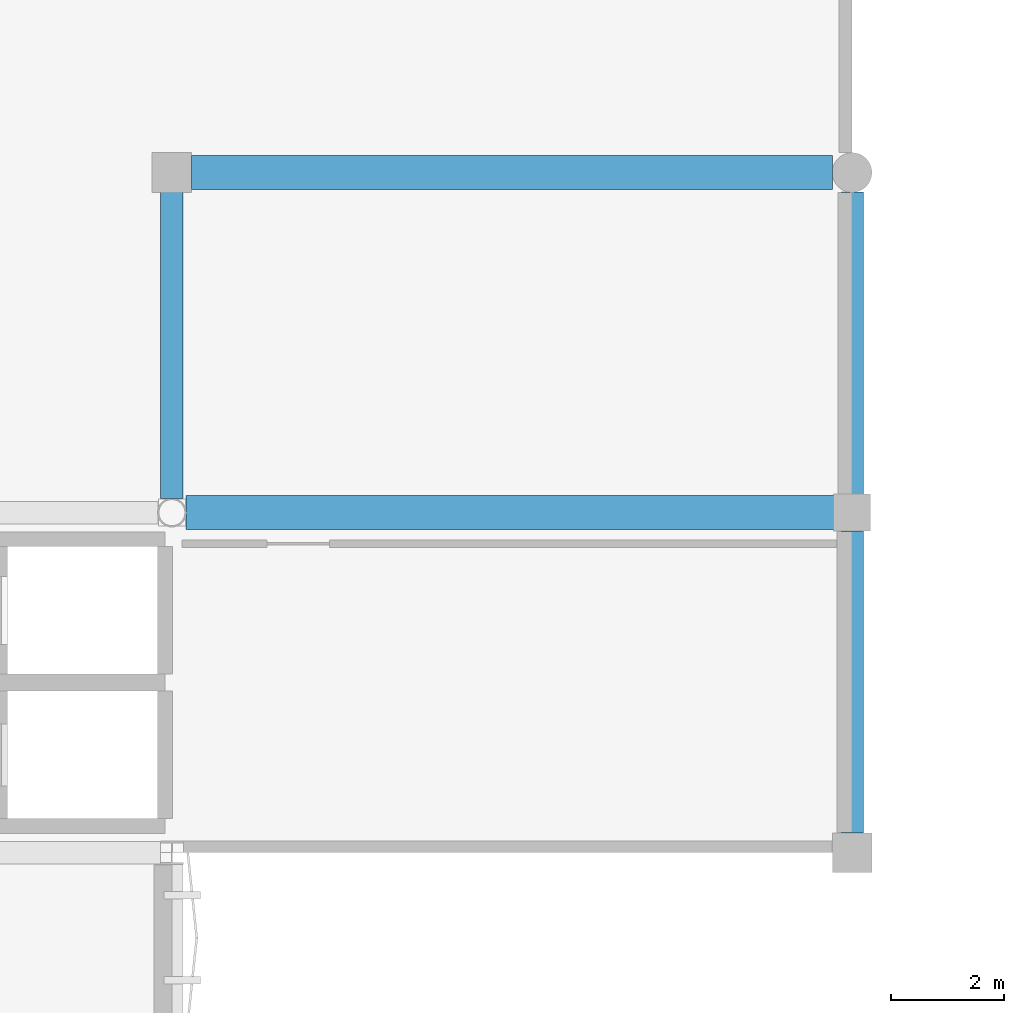
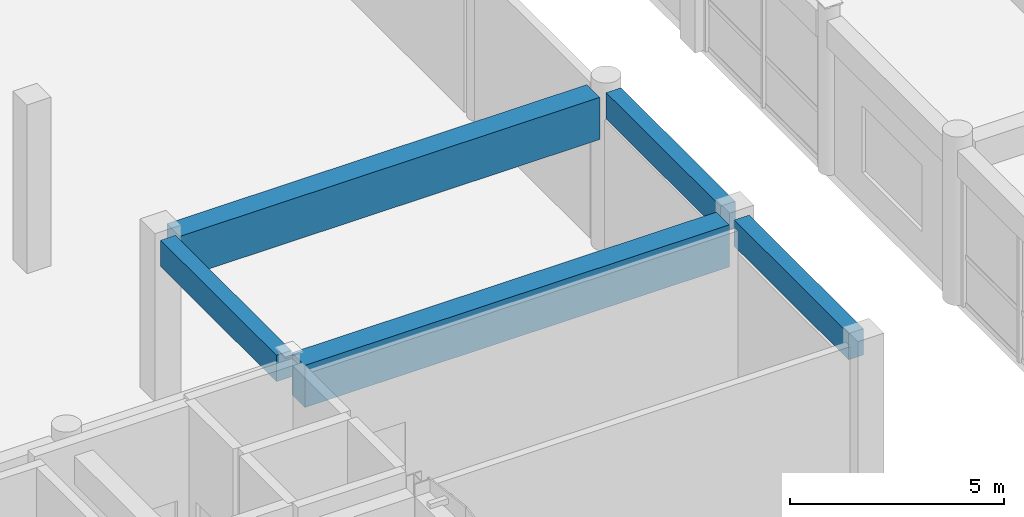
# One storey, part 67 of 123: 5 beams.
"""IFC4 building model written with IfcOpenShell, lengths in metres."""

from ifc_helpers import new_model, si_unit, direction, frame, origin, origin_2d, place, context, subcontext, project, spatial, rectangle, extrude, material, material_profile, profile_set, type_object, element, save


model = new_model("IFC4")

# Units and contexts
model_context = context("Model", 3, precision=1e-05, world=origin(), true_north=direction((0.0, 1.0)))
body_context = subcontext(model_context, "Body", "Model", "MODEL_VIEW")
ifc_project = project(units=[si_unit("LENGTHUNIT", "METRE"), si_unit("AREAUNIT", "SQUARE_METRE"), si_unit("VOLUMEUNIT", "CUBIC_METRE"), si_unit("PLANEANGLEUNIT", "RADIAN"), si_unit("MASSUNIT", "GRAM", prefix="KILO"), si_unit("THERMODYNAMICTEMPERATUREUNIT", "KELVIN"), si_unit("POWERUNIT", "WATT")], contexts=[model_context])

# Site, building, storey
site_placement = place(None, origin())
site = spatial("IfcSite", under=ifc_project, at=site_placement, CompositionType="ELEMENT")
building_placement = place(site_placement, origin())
building = spatial("IfcBuilding", under=site, at=building_placement, Name="Phaisarnlok Congress Hotel", CompositionType="ELEMENT")
storey_placement = place(building_placement, frame((0.0, 0.0, 15.0)))
storey = spatial("IfcBuildingStorey", under=building, at=storey_placement, Name="L03", CompositionType="ELEMENT", Elevation=15.0)

# Beams
ifc_material_1 = material(Name="Concrete C50/60", Category="concrete")
ifc_material_profile_1 = material_profile(ifc_material_1, rectangle(XDim=0.60009765625, YDim=1.199951171875, at=origin_2d()), Name="RC 600x1200")
ifc_profile_set_1 = profile_set([ifc_material_profile_1], Name="Concrete C50/60")
beam_type_1 = type_object("IfcBeamType", Name="BM-RC-600x1200", PredefinedType="BEAM", material=ifc_profile_set_1)
beam_1_placement = place(storey_placement, frame((144.2490234375, 42.0, 3.85009765625), z_axis=(1.0, 0.0, 0.0), x_axis=(0.0, 1.0, 0.0)))
element("IfcBeam", 1, at=beam_1_placement, inside=storey, type_object=beam_type_1, Name="Ramp bay 12m girder B-06", PredefinedType="BEAM", context=body_context, shape_type="SweptSolid", body=[
    extrude(rectangle(XDim=0.60009765625, YDim=1.199951171875, at=origin_2d()), origin(), (0.0, 0.0, 1.0), 11.430908203125),
])
beam_2_placement = place(storey_placement, frame((144.344970703125, 48.0, 3.85009765625), z_axis=(1.0, 0.0, 0.0), x_axis=(0.0, 1.0, 0.0)))
element("IfcBeam", 2, at=beam_2_placement, inside=storey, type_object=beam_type_1, Name="Ramp bay 12m girder B-06", PredefinedType="BEAM", context=body_context, shape_type="SweptSolid", body=[
    extrude(rectangle(XDim=0.60009765625, YDim=1.199951171875, at=origin_2d()), origin(), (0.0, 0.0, 1.0), 11.31005859375),
])
ifc_material_2 = material(Name="Concrete C40/50", Category="concrete")
ifc_material_profile_2 = material_profile(ifc_material_2, rectangle(XDim=0.39990234375, YDim=0.75, at=origin_2d()), Name="RC 400x750")
ifc_profile_set_2 = profile_set([ifc_material_profile_2], Name="Concrete C40/50")
beam_type_2 = type_object("IfcBeamType", Name="SP-RC-400x750", PredefinedType="SPANDREL", material=ifc_profile_set_2)
beam_3_placement = place(storey_placement, frame((144.0, 42.2490234375, 4.18505859375), z_axis=(0.0, 1.0, 0.0), x_axis=(-1.0, 0.0, 0.0)))
element("IfcBeam", 3, at=beam_3_placement, inside=storey, type_object=beam_type_2, Name="Beam SP-02", PredefinedType="SPANDREL", context=body_context, shape_type="SweptSolid", body=[
    extrude(rectangle(XDim=0.39990234375, YDim=0.75, at=origin_2d()), origin(), (0.0, 0.0, 1.0), 5.406005859375),
])
for number, where, z_axis, x_axis, name in (
    (4, (156.0, 36.344970703125, 4.18505859375), (0.0, 1.0, 0.0), (-1.0, 0.0, 0.0), "Beam SP-02"),
    (5, (156.0, 42.320068359375, 4.18505859375), (0.0, 1.0, 0.0), (-1.0, 0.0, 0.0), "Beam SP-02"),
):
    element("IfcBeam", number, at=place(storey_placement, frame(where, z_axis=z_axis, x_axis=x_axis)), inside=storey, type_object=beam_type_2, Name=name, PredefinedType="SPANDREL", context=body_context, shape_type="SweptSolid", body=[
        extrude(rectangle(XDim=0.39990234375, YDim=0.75, at=origin_2d()), origin(), (0.0, 0.0, 1.0), 5.3349609375),
    ])

save(model, "model.ifc")
